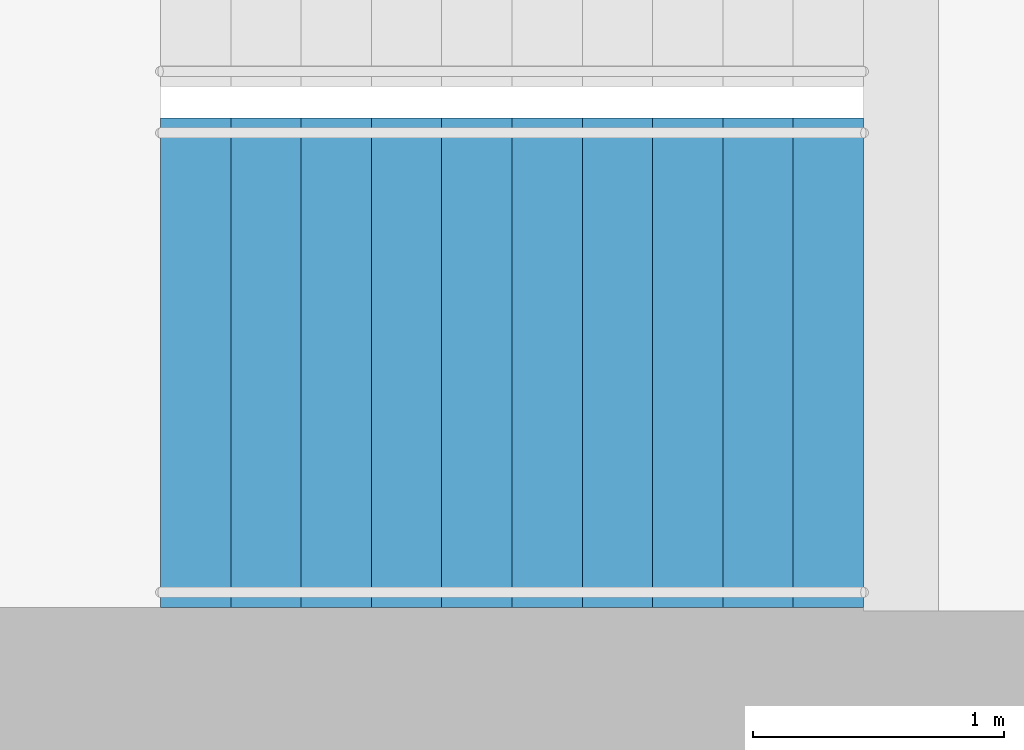
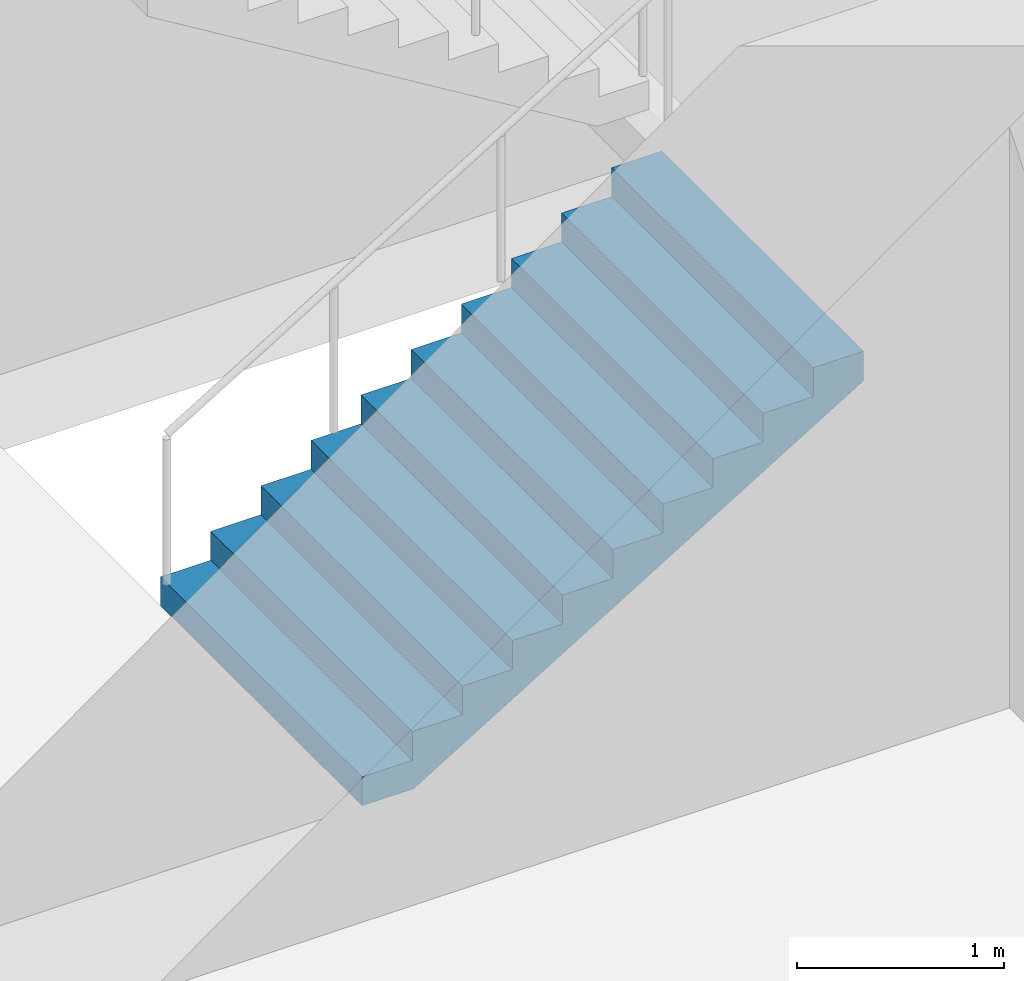
# One storey, part 23 of 29: 1 stair flight, 1 element without a shape of its own.
"""IFC4 building model written with IfcOpenShell, lengths in metres."""

from ifc_helpers import new_model, si_unit, direction, frame, origin, place, context, subcontext, project, spatial, triangles, material, type_object, element, aggregate, save


model = new_model("IFC4")

# Units and contexts
model_context = context("Model", 3, precision=1e-05, world=origin(), true_north=direction((0.0, 1.0)))
body_context = subcontext(model_context, "Body", "Model", "MODEL_VIEW")
ifc_project = project(units=[si_unit("LENGTHUNIT", "METRE"), si_unit("AREAUNIT", "SQUARE_METRE"), si_unit("VOLUMEUNIT", "CUBIC_METRE"), si_unit("PLANEANGLEUNIT", "RADIAN"), si_unit("MASSUNIT", "GRAM", prefix="KILO")], contexts=[model_context])

# Site, building, storey
site_placement = place(None, origin())
site = spatial("IfcSite", under=ifc_project, at=site_placement, CompositionType="ELEMENT")
building_placement = place(site_placement, origin())
building = spatial("IfcBuilding", under=site, at=building_placement, Name="Orbita Commons", CompositionType="ELEMENT")
storey_placement = place(building_placement, frame((0.0, 0.0, 148.60009765625)))
storey = spatial("IfcBuildingStorey", under=building, at=storey_placement, Name="L36", CompositionType="ELEMENT", Elevation=148.60009765625)

# Stair, stair flight
ifc_material_1 = material(Name="Precast concrete C40/50", Category="concrete")
stair_type = type_object("IfcStairType", Name="Exit stair S1 2 flights 11 risers 170", PredefinedType="HALF_TURN_STAIR", material=ifc_material_1)
stair_placement = place(storey_placement, origin())
stair = element("IfcStair", 1, at=stair_placement, inside=storey, type_object=stair_type, Name="Exit stair S1 L36", PredefinedType="HALF_TURN_STAIR")
ifc_material_2 = material(Name="Precast concrete C40/50", Category="concrete")
stair_flight_type = type_object("IfcStairFlightType", Name="Stair flight 11 risers 170 x 280", PredefinedType="STRAIGHT", material=ifc_material_2)
stair_flight_placement = place(storey_placement, frame((20.449951171875, 27.199951171875, 0.0), z_axis=(0.0, 0.0, 1.0), x_axis=(1.0, 0.0, 0.0)))
stair_flight = element("IfcStairFlight", 2, at=stair_flight_placement, type_object=stair_flight_type, Name="S1 flight 1", NumberOfRisers=11, NumberOfTreads=10, PredefinedType="STRAIGHT", RiserHeight=0.170454545, TreadLength=0.28, context=body_context, shape_type="Tessellation", body=[
    triangles([(0.0, 0.974976, 0.0), (0.0, 0.974976, 0.021307), (0.0, 0.81248, 0.021307), (0.0, 0.81248, 0.0), (0.0, 0.649984, 0.021307), (0.0, 0.649984, 0.0), (0.0, 0.487488, 0.021307), (0.0, 0.487488, 0.0), (0.0, 0.324992, 0.021307), (0.0, 0.324992, 0.0), (0.0, 0.162496, 0.021307), (0.0, 0.162496, 0.0), (0.0, 0.0, 0.021307), (0.0, 0.0, 0.0), (0.0, -0.162496, 0.021307), (0.0, -0.162496, 0.0), (0.0, -0.324992, 0.021307), (0.0, -0.324992, 0.0), (0.0, -0.487488, 0.021307), (0.0, -0.487488, 0.0), (0.0, -0.649984, 0.021307), (0.0, -0.649984, 0.0), (0.0, -0.81248, 0.021307), (0.0, -0.81248, 0.0), (0.0, -0.974976, 0.021307), (0.0, -0.974976, 0.0), (0.0, 0.974976, 0.042614), (0.0, 0.81248, 0.042614), (0.0, 0.649984, 0.042614), (0.0, 0.487488, 0.042614), (0.0, 0.324992, 0.042614), (0.0, 0.162496, 0.042614), (0.0, 0.0, 0.042614), (0.0, -0.162496, 0.042614), (0.0, -0.324992, 0.042614), (0.0, -0.487488, 0.042614), (0.0, -0.649984, 0.042614), (0.0, -0.81248, 0.042614), (0.0, -0.974976, 0.042614), (0.0, 0.974976, 0.06392), (0.0, 0.81248, 0.06392), (0.0, 0.649984, 0.06392), (0.0, 0.487488, 0.06392), (0.0, 0.324992, 0.06392), (0.0, 0.162496, 0.06392), (0.0, 0.0, 0.06392), (0.0, -0.162496, 0.06392), (0.0, -0.324992, 0.06392), (0.0, -0.487488, 0.06392), (0.0, -0.649984, 0.06392), (0.0, -0.81248, 0.06392), (0.0, -0.974976, 0.06392), (0.0, 0.974976, 0.085227), (0.0, 0.81248, 0.085227), (0.0, 0.649984, 0.085227), (0.0, 0.487488, 0.085227), (0.0, 0.324992, 0.085227), (0.0, 0.162496, 0.085227), (0.0, 0.0, 0.085227), (0.0, -0.162496, 0.085227), (0.0, -0.324992, 0.085227), (0.0, -0.487488, 0.085227), (0.0, -0.649984, 0.085227), (0.0, -0.81248, 0.085227), (0.0, -0.974976, 0.085227), (0.0, 0.974976, 0.106534), (0.0, 0.81248, 0.106534), (0.0, 0.649984, 0.106534), (0.0, 0.487488, 0.106534), (0.0, 0.324992, 0.106534), (0.0, 0.162496, 0.106534), (0.0, 0.0, 0.106534), (0.0, -0.162496, 0.106534), (0.0, -0.324992, 0.106534), (0.0, -0.487488, 0.106534), (0.0, -0.649984, 0.106534), (0.0, -0.81248, 0.106534), (0.0, -0.974976, 0.106534), (0.0, 0.974976, 0.127841), (0.0, 0.81248, 0.127841), (0.0, 0.649984, 0.127841), (0.0, 0.487488, 0.127841), (0.0, 0.324992, 0.127841), (0.0, 0.162496, 0.127841), (0.0, 0.0, 0.127841), (0.0, -0.162496, 0.127841), (0.0, -0.324992, 0.127841), (0.0, -0.487488, 0.127841), (0.0, -0.649984, 0.127841), (0.0, -0.81248, 0.127841), (0.0, -0.974976, 0.127841), (0.0, 0.974976, 0.149148), (0.0, 0.81248, 0.149148), (0.0, 0.649984, 0.149148), (0.0, 0.487488, 0.149148), (0.0, 0.324992, 0.149148), (0.0, 0.162496, 0.149148), (0.0, 0.0, 0.149148), (0.0, -0.162496, 0.149148), (0.0, -0.324992, 0.149148), (0.0, -0.487488, 0.149148), (0.0, -0.649984, 0.149148), (0.0, -0.81248, 0.149148), (0.0, -0.974976, 0.149148), (0.0, 0.974976, 0.170455), (0.0, 0.81248, 0.170455), (0.0, 0.649984, 0.170455), (0.0, 0.487488, 0.170455), (0.0, 0.324992, 0.170455), (0.0, 0.162496, 0.170455), (0.0, 0.0, 0.170455), (0.0, -0.162496, 0.170455), (0.0, -0.324992, 0.170455), (0.0, -0.487488, 0.170455), (0.0, -0.649984, 0.170455), (0.0, -0.81248, 0.170455), (0.0, -0.974976, 0.170455), (0.28, 0.974976, 0.170455), (0.28, 0.81248, 0.170455), (0.28, 0.649984, 0.170455), (0.28, 0.487488, 0.170455), (0.28, 0.324992, 0.170455), (0.28, 0.162496, 0.170455), (0.28, 0.0, 0.170455), (0.28, -0.162496, 0.170455), (0.28, -0.324992, 0.170455), (0.28, -0.487488, 0.170455), (0.28, -0.649984, 0.170455), (0.28, -0.81248, 0.170455), (0.28, -0.974976, 0.170455), (0.28, 0.974976, 0.340909), (0.28, 0.81248, 0.340909), (0.28, 0.649984, 0.340909), (0.28, 0.487488, 0.340909), (0.28, 0.324992, 0.340909), (0.28, 0.162496, 0.340909), (0.28, 0.0, 0.340909), (0.28, -0.162496, 0.340909), (0.28, -0.324992, 0.340909), (0.28, -0.487488, 0.340909), (0.28, -0.649984, 0.340909), (0.28, -0.81248, 0.340909), (0.28, -0.974976, 0.340909), (0.56, 0.974976, 0.340909), (0.56, 0.81248, 0.340909), (0.56, 0.649984, 0.340909), (0.56, 0.487488, 0.340909), (0.56, 0.324992, 0.340909), (0.56, 0.162496, 0.340909), (0.56, 0.0, 0.340909), (0.56, -0.162496, 0.340909), (0.56, -0.324992, 0.340909), (0.56, -0.487488, 0.340909), (0.56, -0.649984, 0.340909), (0.56, -0.81248, 0.340909), (0.56, -0.974976, 0.340909), (0.56, 0.974976, 0.511364), (0.56, 0.81248, 0.511364), (0.56, 0.649984, 0.511364), (0.56, 0.487488, 0.511364), (0.56, 0.324992, 0.511364), (0.56, 0.162496, 0.511364), (0.56, 0.0, 0.511364), (0.56, -0.162496, 0.511364), (0.56, -0.324992, 0.511364), (0.56, -0.487488, 0.511364), (0.56, -0.649984, 0.511364), (0.56, -0.81248, 0.511364), (0.56, -0.974976, 0.511364), (0.84, 0.974976, 0.511364), (0.84, 0.81248, 0.511364), (0.84, 0.649984, 0.511364), (0.84, 0.487488, 0.511364), (0.84, 0.324992, 0.511364), (0.84, 0.162496, 0.511364), (0.84, 0.0, 0.511364), (0.84, -0.162496, 0.511364), (0.84, -0.324992, 0.511364), (0.84, -0.487488, 0.511364), (0.84, -0.649984, 0.511364), (0.84, -0.81248, 0.511364), (0.84, -0.974976, 0.511364), (0.84, 0.974976, 0.681818), (0.84, 0.81248, 0.681818), (0.84, 0.649984, 0.681818), (0.84, 0.487488, 0.681818), (0.84, 0.324992, 0.681818), (0.84, 0.162496, 0.681818), (0.84, 0.0, 0.681818), (0.84, -0.162496, 0.681818), (0.84, -0.324992, 0.681818), (0.84, -0.487488, 0.681818), (0.84, -0.649984, 0.681818), (0.84, -0.81248, 0.681818), (0.84, -0.974976, 0.681818), (1.12, 0.974976, 0.681818), (1.12, 0.81248, 0.681818), (1.12, 0.649984, 0.681818), (1.12, 0.487488, 0.681818), (1.12, 0.324992, 0.681818), (1.12, 0.162496, 0.681818), (1.12, 0.0, 0.681818), (1.12, -0.162496, 0.681818), (1.12, -0.324992, 0.681818), (1.12, -0.487488, 0.681818), (1.12, -0.649984, 0.681818), (1.12, -0.81248, 0.681818), (1.12, -0.974976, 0.681818), (1.12, 0.974976, 0.852273), (1.12, 0.81248, 0.852273), (1.12, 0.649984, 0.852273), (1.12, 0.487488, 0.852273), (1.12, 0.324992, 0.852273), (1.12, 0.162496, 0.852273), (1.12, 0.0, 0.852273), (1.12, -0.162496, 0.852273), (1.12, -0.324992, 0.852273), (1.12, -0.487488, 0.852273), (1.12, -0.649984, 0.852273), (1.12, -0.81248, 0.852273), (1.12, -0.974976, 0.852273), (1.4, 0.974976, 0.852273), (1.4, 0.81248, 0.852273), (1.4, 0.649984, 0.852273), (1.4, 0.487488, 0.852273), (1.4, 0.324992, 0.852273), (1.4, 0.162496, 0.852273), (1.4, 0.0, 0.852273), (1.4, -0.162496, 0.852273), (1.4, -0.324992, 0.852273), (1.4, -0.487488, 0.852273), (1.4, -0.649984, 0.852273), (1.4, -0.81248, 0.852273), (1.4, -0.974976, 0.852273), (1.4, 0.974976, 1.022727), (1.4, 0.81248, 1.022727), (1.4, 0.649984, 1.022727), (1.4, 0.487488, 1.022727), (1.4, 0.324992, 1.022727), (1.4, 0.162496, 1.022727), (1.4, 0.0, 1.022727), (1.4, -0.162496, 1.022727), (1.4, -0.324992, 1.022727), (1.4, -0.487488, 1.022727), (1.4, -0.649984, 1.022727), (1.4, -0.81248, 1.022727), (1.4, -0.974976, 1.022727), (1.68, 0.974976, 1.022727), (1.68, 0.81248, 1.022727), (1.68, 0.649984, 1.022727), (1.68, 0.487488, 1.022727), (1.68, 0.324992, 1.022727), (1.68, 0.162496, 1.022727), (1.68, 0.0, 1.022727), (1.68, -0.162496, 1.022727), (1.68, -0.324992, 1.022727), (1.68, -0.487488, 1.022727), (1.68, -0.649984, 1.022727), (1.68, -0.81248, 1.022727), (1.68, -0.974976, 1.022727), (1.68, 0.974976, 1.193182), (1.68, 0.81248, 1.193182), (1.68, 0.649984, 1.193182), (1.68, 0.487488, 1.193182), (1.68, 0.324992, 1.193182), (1.68, 0.162496, 1.193182), (1.68, 0.0, 1.193182), (1.68, -0.162496, 1.193182), (1.68, -0.324992, 1.193182), (1.68, -0.487488, 1.193182), (1.68, -0.649984, 1.193182), (1.68, -0.81248, 1.193182), (1.68, -0.974976, 1.193182), (1.96, 0.974976, 1.193182), (1.96, 0.81248, 1.193182), (1.96, 0.649984, 1.193182), (1.96, 0.487488, 1.193182), (1.96, 0.324992, 1.193182), (1.96, 0.162496, 1.193182), (1.96, 0.0, 1.193182), (1.96, -0.162496, 1.193182), (1.96, -0.324992, 1.193182), (1.96, -0.487488, 1.193182), (1.96, -0.649984, 1.193182), (1.96, -0.81248, 1.193182), (1.96, -0.974976, 1.193182), (1.96, 0.974976, 1.363636), (1.96, 0.81248, 1.363636), (1.96, 0.649984, 1.363636), (1.96, 0.487488, 1.363636), (1.96, 0.324992, 1.363636), (1.96, 0.162496, 1.363636), (1.96, 0.0, 1.363636), (1.96, -0.162496, 1.363636), (1.96, -0.324992, 1.363636), (1.96, -0.487488, 1.363636), (1.96, -0.649984, 1.363636), (1.96, -0.81248, 1.363636), (1.96, -0.974976, 1.363636), (2.24, 0.974976, 1.363636), (2.24, 0.81248, 1.363636), (2.24, 0.649984, 1.363636), (2.24, 0.487488, 1.363636), (2.24, 0.324992, 1.363636), (2.24, 0.162496, 1.363636), (2.24, 0.0, 1.363636), (2.24, -0.162496, 1.363636), (2.24, -0.324992, 1.363636), (2.24, -0.487488, 1.363636), (2.24, -0.649984, 1.363636), (2.24, -0.81248, 1.363636), (2.24, -0.974976, 1.363636), (2.24, 0.974976, 1.534091), (2.24, 0.81248, 1.534091), (2.24, 0.649984, 1.534091), (2.24, 0.487488, 1.534091), (2.24, 0.324992, 1.534091), (2.24, 0.162496, 1.534091), (2.24, 0.0, 1.534091), (2.24, -0.162496, 1.534091), (2.24, -0.324992, 1.534091), (2.24, -0.487488, 1.534091), (2.24, -0.649984, 1.534091), (2.24, -0.81248, 1.534091), (2.24, -0.974976, 1.534091), (2.52, 0.974976, 1.534091), (2.52, 0.81248, 1.534091), (2.52, 0.649984, 1.534091), (2.52, 0.487488, 1.534091), (2.52, 0.324992, 1.534091), (2.52, 0.162496, 1.534091), (2.52, 0.0, 1.534091), (2.52, -0.162496, 1.534091), (2.52, -0.324992, 1.534091), (2.52, -0.487488, 1.534091), (2.52, -0.649984, 1.534091), (2.52, -0.81248, 1.534091), (2.52, -0.974976, 1.534091), (2.52, 0.974976, 1.704545), (2.52, 0.81248, 1.704545), (2.52, 0.649984, 1.704545), (2.52, 0.487488, 1.704545), (2.52, 0.324992, 1.704545), (2.52, 0.162496, 1.704545), (2.52, 0.0, 1.704545), (2.52, -0.162496, 1.704545), (2.52, -0.324992, 1.704545), (2.52, -0.487488, 1.704545), (2.52, -0.649984, 1.704545), (2.52, -0.81248, 1.704545), (2.52, -0.974976, 1.704545), (2.8, 0.974976, 1.704545), (2.8, 0.81248, 1.704545), (2.8, 0.649984, 1.704545), (2.8, 0.487488, 1.704545), (2.8, 0.324992, 1.704545), (2.8, 0.162496, 1.704545), (2.8, 0.0, 1.704545), (2.8, -0.162496, 1.704545), (2.8, -0.324992, 1.704545), (2.8, -0.487488, 1.704545), (2.8, -0.649984, 1.704545), (2.8, -0.81248, 1.704545), (2.8, -0.974976, 1.704545), (2.8, 0.974976, 1.682609), (2.8, 0.81248, 1.682609), (2.8, 0.649984, 1.682609), (2.8, 0.487488, 1.682609), (2.8, 0.324992, 1.682609), (2.8, 0.162496, 1.682609), (2.8, 0.0, 1.682609), (2.8, -0.162496, 1.682609), (2.8, -0.324992, 1.682609), (2.8, -0.487488, 1.682609), (2.8, -0.649984, 1.682609), (2.8, -0.81248, 1.682609), (2.8, -0.974976, 1.682609), (2.8, 0.974976, 1.660672), (2.8, 0.81248, 1.660672), (2.8, 0.649984, 1.660672), (2.8, 0.487488, 1.660672), (2.8, 0.324992, 1.660672), (2.8, 0.162496, 1.660672), (2.8, 0.0, 1.660672), (2.8, -0.162496, 1.660672), (2.8, -0.324992, 1.660672), (2.8, -0.487488, 1.660672), (2.8, -0.649984, 1.660672), (2.8, -0.81248, 1.660672), (2.8, -0.974976, 1.660672), (2.8, 0.974976, 1.638735), (2.8, 0.81248, 1.638735), (2.8, 0.649984, 1.638735), (2.8, 0.487488, 1.638735), (2.8, 0.324992, 1.638735), (2.8, 0.162496, 1.638735), (2.8, 0.0, 1.638735), (2.8, -0.162496, 1.638735), (2.8, -0.324992, 1.638735), (2.8, -0.487488, 1.638735), (2.8, -0.649984, 1.638735), (2.8, -0.81248, 1.638735), (2.8, -0.974976, 1.638735), (2.8, 0.974976, 1.616798), (2.8, 0.81248, 1.616798), (2.8, 0.649984, 1.616798), (2.8, 0.487488, 1.616798), (2.8, 0.324992, 1.616798), (2.8, 0.162496, 1.616798), (2.8, 0.0, 1.616798), (2.8, -0.162496, 1.616798), (2.8, -0.324992, 1.616798), (2.8, -0.487488, 1.616798), (2.8, -0.649984, 1.616798), (2.8, -0.81248, 1.616798), (2.8, -0.974976, 1.616798), (2.8, 0.974976, 1.594861), (2.8, 0.81248, 1.594861), (2.8, 0.649984, 1.594861), (2.8, 0.487488, 1.594861), (2.8, 0.324992, 1.594861), (2.8, 0.162496, 1.594861), (2.8, 0.0, 1.594861), (2.8, -0.162496, 1.594861), (2.8, -0.324992, 1.594861), (2.8, -0.487488, 1.594861), (2.8, -0.649984, 1.594861), (2.8, -0.81248, 1.594861), (2.8, -0.974976, 1.594861), (2.8, 0.974976, 1.572925), (2.8, 0.81248, 1.572925), (2.8, 0.649984, 1.572925), (2.8, 0.487488, 1.572925), (2.8, 0.324992, 1.572925), (2.8, 0.162496, 1.572925), (2.8, 0.0, 1.572925), (2.8, -0.162496, 1.572925), (2.8, -0.324992, 1.572925), (2.8, -0.487488, 1.572925), (2.8, -0.649984, 1.572925), (2.8, -0.81248, 1.572925), (2.8, -0.974976, 1.572925), (2.8, 0.974976, 1.550988), (2.8, 0.81248, 1.550988), (2.8, 0.649984, 1.550988), (2.8, 0.487488, 1.550988), (2.8, 0.324992, 1.550988), (2.8, 0.162496, 1.550988), (2.8, 0.0, 1.550988), (2.8, -0.162496, 1.550988), (2.8, -0.324992, 1.550988), (2.8, -0.487488, 1.550988), (2.8, -0.649984, 1.550988), (2.8, -0.81248, 1.550988), (2.8, -0.974976, 1.550988), (2.8, 0.974976, 1.529051), (2.8, 0.81248, 1.529051), (2.8, 0.649984, 1.529051), (2.8, 0.487488, 1.529051), (2.8, 0.324992, 1.529051), (2.8, 0.162496, 1.529051), (2.8, 0.0, 1.529051), (2.8, -0.162496, 1.529051), (2.8, -0.324992, 1.529051), (2.8, -0.487488, 1.529051), (2.8, -0.649984, 1.529051), (2.8, -0.81248, 1.529051), (2.8, -0.974976, 1.529051), (0.288279, 0.974976, 0.0), (0.288279, 0.81248, 0.0), (0.288279, 0.649984, 0.0), (0.288279, 0.487488, 0.0), (0.288279, 0.324992, 0.0), (0.288279, 0.162496, 0.0), (0.288279, 0.0, 0.0), (0.288279, -0.162496, 0.0), (0.288279, -0.324992, 0.0), (0.288279, -0.487488, 0.0), (0.288279, -0.649984, 0.0), (0.288279, -0.81248, 0.0), (0.288279, -0.974976, 0.0)], [[3, 2, 1], [4, 3, 1], [5, 3, 4], [6, 5, 4], [7, 5, 6], [8, 7, 6], [9, 7, 8], [10, 9, 8], [11, 9, 10], [12, 11, 10], [13, 11, 12], [14, 13, 12], [15, 13, 14], [16, 15, 14], [17, 15, 16], [18, 17, 16], [19, 17, 18], [20, 19, 18], [21, 19, 20], [22, 21, 20], [23, 21, 22], [24, 23, 22], [25, 23, 24], [26, 25, 24], [28, 27, 2], [3, 28, 2], [29, 28, 3], [5, 29, 3], [30, 29, 5], [7, 30, 5], [31, 30, 7], [9, 31, 7], [32, 31, 9], [11, 32, 9], [33, 32, 11], [13, 33, 11], [34, 33, 13], [15, 34, 13], [35, 34, 15], [17, 35, 15], [36, 35, 17], [19, 36, 17], [37, 36, 19], [21, 37, 19], [38, 37, 21], [23, 38, 21], [39, 38, 23], [25, 39, 23], [41, 40, 27], [28, 41, 27], [42, 41, 28], [29, 42, 28], [43, 42, 29], [30, 43, 29], [44, 43, 30], [31, 44, 30], [45, 44, 31], [32, 45, 31], [46, 45, 32], [33, 46, 32], [47, 46, 33], [34, 47, 33], [48, 47, 34], [35, 48, 34], [49, 48, 35], [36, 49, 35], [50, 49, 36], [37, 50, 36], [51, 50, 37], [38, 51, 37], [52, 51, 38], [39, 52, 38], [54, 53, 40], [41, 54, 40], [55, 54, 41], [42, 55, 41], [56, 55, 42], [43, 56, 42], [57, 56, 43], [44, 57, 43], [58, 57, 44], [45, 58, 44], [59, 58, 45], [46, 59, 45], [60, 59, 46], [47, 60, 46], [61, 60, 47], [48, 61, 47], [62, 61, 48], [49, 62, 48], [63, 62, 49], [50, 63, 49], [64, 63, 50], [51, 64, 50], [65, 64, 51], [52, 65, 51], [67, 66, 53], [54, 67, 53], [68, 67, 54], [55, 68, 54], [69, 68, 55], [56, 69, 55], [70, 69, 56], [57, 70, 56], [71, 70, 57], [58, 71, 57], [72, 71, 58], [59, 72, 58], [73, 72, 59], [60, 73, 59], [74, 73, 60], [61, 74, 60], [75, 74, 61], [62, 75, 61], [76, 75, 62], [63, 76, 62], [77, 76, 63], [64, 77, 63], [78, 77, 64], [65, 78, 64], [80, 79, 66], [67, 80, 66], [81, 80, 67], [68, 81, 67], [82, 81, 68], [69, 82, 68], [83, 82, 69], [70, 83, 69], [84, 83, 70], [71, 84, 70], [85, 84, 71], [72, 85, 71], [86, 85, 72], [73, 86, 72], [87, 86, 73], [74, 87, 73], [88, 87, 74], [75, 88, 74], [89, 88, 75], [76, 89, 75], [90, 89, 76], [77, 90, 76], [91, 90, 77], [78, 91, 77], [93, 92, 79], [80, 93, 79], [94, 93, 80], [81, 94, 80], [95, 94, 81], [82, 95, 81], [96, 95, 82], [83, 96, 82], [97, 96, 83], [84, 97, 83], [98, 97, 84], [85, 98, 84], [99, 98, 85], [86, 99, 85], [100, 99, 86], [87, 100, 86], [101, 100, 87], [88, 101, 87], [102, 101, 88], [89, 102, 88], [103, 102, 89], [90, 103, 89], [104, 103, 90], [91, 104, 90], [106, 105, 92], [93, 106, 92], [107, 106, 93], [94, 107, 93], [108, 107, 94], [95, 108, 94], [109, 108, 95], [96, 109, 95], [110, 109, 96], [97, 110, 96], [111, 110, 97], [98, 111, 97], [112, 111, 98], [99, 112, 98], [113, 112, 99], [100, 113, 99], [114, 113, 100], [101, 114, 100], [115, 114, 101], [102, 115, 101], [116, 115, 102], [103, 116, 102], [117, 116, 103], [104, 117, 103], [119, 118, 105], [106, 119, 105], [120, 119, 106], [107, 120, 106], [121, 120, 107], [108, 121, 107], [122, 121, 108], [109, 122, 108], [123, 122, 109], [110, 123, 109], [124, 123, 110], [111, 124, 110], [125, 124, 111], [112, 125, 111], [126, 125, 112], [113, 126, 112], [127, 126, 113], [114, 127, 113], [128, 127, 114], [115, 128, 114], [129, 128, 115], [116, 129, 115], [130, 129, 116], [117, 130, 116], [132, 131, 118], [119, 132, 118], [133, 132, 119], [120, 133, 119], [134, 133, 120], [121, 134, 120], [135, 134, 121], [122, 135, 121], [136, 135, 122], [123, 136, 122], [137, 136, 123], [124, 137, 123], [138, 137, 124], [125, 138, 124], [139, 138, 125], [126, 139, 125], [140, 139, 126], [127, 140, 126], [141, 140, 127], [128, 141, 127], [142, 141, 128], [129, 142, 128], [143, 142, 129], [130, 143, 129], [145, 144, 131], [132, 145, 131], [146, 145, 132], [133, 146, 132], [147, 146, 133], [134, 147, 133], [148, 147, 134], [135, 148, 134], [149, 148, 135], [136, 149, 135], [150, 149, 136], [137, 150, 136], [151, 150, 137], [138, 151, 137], [152, 151, 138], [139, 152, 138], [153, 152, 139], [140, 153, 139], [154, 153, 140], [141, 154, 140], [155, 154, 141], [142, 155, 141], [156, 155, 142], [143, 156, 142], [158, 157, 144], [145, 158, 144], [159, 158, 145], [146, 159, 145], [160, 159, 146], [147, 160, 146], [161, 160, 147], [148, 161, 147], [162, 161, 148], [149, 162, 148], [163, 162, 149], [150, 163, 149], [164, 163, 150], [151, 164, 150], [165, 164, 151], [152, 165, 151], [166, 165, 152], [153, 166, 152], [167, 166, 153], [154, 167, 153], [168, 167, 154], [155, 168, 154], [169, 168, 155], [156, 169, 155], [171, 170, 157], [158, 171, 157], [172, 171, 158], [159, 172, 158], [173, 172, 159], [160, 173, 159], [174, 173, 160], [161, 174, 160], [175, 174, 161], [162, 175, 161], [176, 175, 162], [163, 176, 162], [177, 176, 163], [164, 177, 163], [178, 177, 164], [165, 178, 164], [179, 178, 165], [166, 179, 165], [180, 179, 166], [167, 180, 166], [181, 180, 167], [168, 181, 167], [182, 181, 168], [169, 182, 168], [184, 183, 170], [171, 184, 170], [185, 184, 171], [172, 185, 171], [186, 185, 172], [173, 186, 172], [187, 186, 173], [174, 187, 173], [188, 187, 174], [175, 188, 174], [189, 188, 175], [176, 189, 175], [190, 189, 176], [177, 190, 176], [191, 190, 177], [178, 191, 177], [192, 191, 178], [179, 192, 178], [193, 192, 179], [180, 193, 179], [194, 193, 180], [181, 194, 180], [195, 194, 181], [182, 195, 181], [197, 196, 183], [184, 197, 183], [198, 197, 184], [185, 198, 184], [199, 198, 185], [186, 199, 185], [200, 199, 186], [187, 200, 186], [201, 200, 187], [188, 201, 187], [202, 201, 188], [189, 202, 188], [203, 202, 189], [190, 203, 189], [204, 203, 190], [191, 204, 190], [205, 204, 191], [192, 205, 191], [206, 205, 192], [193, 206, 192], [207, 206, 193], [194, 207, 193], [208, 207, 194], [195, 208, 194], [210, 209, 196], [197, 210, 196], [211, 210, 197], [198, 211, 197], [212, 211, 198], [199, 212, 198], [213, 212, 199], [200, 213, 199], [214, 213, 200], [201, 214, 200], [215, 214, 201], [202, 215, 201], [216, 215, 202], [203, 216, 202], [217, 216, 203], [204, 217, 203], [218, 217, 204], [205, 218, 204], [219, 218, 205], [206, 219, 205], [220, 219, 206], [207, 220, 206], [221, 220, 207], [208, 221, 207], [223, 222, 209], [210, 223, 209], [224, 223, 210], [211, 224, 210], [225, 224, 211], [212, 225, 211], [226, 225, 212], [213, 226, 212], [227, 226, 213], [214, 227, 213], [228, 227, 214], [215, 228, 214], [229, 228, 215], [216, 229, 215], [230, 229, 216], [217, 230, 216], [231, 230, 217], [218, 231, 217], [232, 231, 218], [219, 232, 218], [233, 232, 219], [220, 233, 219], [234, 233, 220], [221, 234, 220], [236, 235, 222], [223, 236, 222], [237, 236, 223], [224, 237, 223], [238, 237, 224], [225, 238, 224], [239, 238, 225], [226, 239, 225], [240, 239, 226], [227, 240, 226], [241, 240, 227], [228, 241, 227], [242, 241, 228], [229, 242, 228], [243, 242, 229], [230, 243, 229], [244, 243, 230], [231, 244, 230], [245, 244, 231], [232, 245, 231], [246, 245, 232], [233, 246, 232], [247, 246, 233], [234, 247, 233], [249, 248, 235], [236, 249, 235], [250, 249, 236], [237, 250, 236], [251, 250, 237], [238, 251, 237], [252, 251, 238], [239, 252, 238], [253, 252, 239], [240, 253, 239], [254, 253, 240], [241, 254, 240], [255, 254, 241], [242, 255, 241], [256, 255, 242], [243, 256, 242], [257, 256, 243], [244, 257, 243], [258, 257, 244], [245, 258, 244], [259, 258, 245], [246, 259, 245], [260, 259, 246], [247, 260, 246], [262, 261, 248], [249, 262, 248], [263, 262, 249], [250, 263, 249], [264, 263, 250], [251, 264, 250], [265, 264, 251], [252, 265, 251], [266, 265, 252], [253, 266, 252], [267, 266, 253], [254, 267, 253], [268, 267, 254], [255, 268, 254], [269, 268, 255], [256, 269, 255], [270, 269, 256], [257, 270, 256], [271, 270, 257], [258, 271, 257], [272, 271, 258], [259, 272, 258], [273, 272, 259], [260, 273, 259], [275, 274, 261], [262, 275, 261], [276, 275, 262], [263, 276, 262], [277, 276, 263], [264, 277, 263], [278, 277, 264], [265, 278, 264], [279, 278, 265], [266, 279, 265], [280, 279, 266], [267, 280, 266], [281, 280, 267], [268, 281, 267], [282, 281, 268], [269, 282, 268], [283, 282, 269], [270, 283, 269], [284, 283, 270], [271, 284, 270], [285, 284, 271], [272, 285, 271], [286, 285, 272], [273, 286, 272], [288, 287, 274], [275, 288, 274], [289, 288, 275], [276, 289, 275], [290, 289, 276], [277, 290, 276], [291, 290, 277], [278, 291, 277], [292, 291, 278], [279, 292, 278], [293, 292, 279], [280, 293, 279], [294, 293, 280], [281, 294, 280], [295, 294, 281], [282, 295, 281], [296, 295, 282], [283, 296, 282], [297, 296, 283], [284, 297, 283], [298, 297, 284], [285, 298, 284], [299, 298, 285], [286, 299, 285], [301, 300, 287], [288, 301, 287], [302, 301, 288], [289, 302, 288], [303, 302, 289], [290, 303, 289], [304, 303, 290], [291, 304, 290], [305, 304, 291], [292, 305, 291], [306, 305, 292], [293, 306, 292], [307, 306, 293], [294, 307, 293], [308, 307, 294], [295, 308, 294], [309, 308, 295], [296, 309, 295], [310, 309, 296], [297, 310, 296], [311, 310, 297], [298, 311, 297], [312, 311, 298], [299, 312, 298], [314, 313, 300], [301, 314, 300], [315, 314, 301], [302, 315, 301], [316, 315, 302], [303, 316, 302], [317, 316, 303], [304, 317, 303], [318, 317, 304], [305, 318, 304], [319, 318, 305], [306, 319, 305], [320, 319, 306], [307, 320, 306], [321, 320, 307], [308, 321, 307], [322, 321, 308], [309, 322, 308], [323, 322, 309], [310, 323, 309], [324, 323, 310], [311, 324, 310], [325, 324, 311], [312, 325, 311], [327, 326, 313], [314, 327, 313], [328, 327, 314], [315, 328, 314], [329, 328, 315], [316, 329, 315], [330, 329, 316], [317, 330, 316], [331, 330, 317], [318, 331, 317], [332, 331, 318], [319, 332, 318], [333, 332, 319], [320, 333, 319], [334, 333, 320], [321, 334, 320], [335, 334, 321], [322, 335, 321], [336, 335, 322], [323, 336, 322], [337, 336, 323], [324, 337, 323], [338, 337, 324], [325, 338, 324], [340, 339, 326], [327, 340, 326], [341, 340, 327], [328, 341, 327], [342, 341, 328], [329, 342, 328], [343, 342, 329], [330, 343, 329], [344, 343, 330], [331, 344, 330], [345, 344, 331], [332, 345, 331], [346, 345, 332], [333, 346, 332], [347, 346, 333], [334, 347, 333], [348, 347, 334], [335, 348, 334], [349, 348, 335], [336, 349, 335], [350, 349, 336], [337, 350, 336], [351, 350, 337], [338, 351, 337], [353, 352, 339], [340, 353, 339], [354, 353, 340], [341, 354, 340], [355, 354, 341], [342, 355, 341], [356, 355, 342], [343, 356, 342], [357, 356, 343], [344, 357, 343], [358, 357, 344], [345, 358, 344], [359, 358, 345], [346, 359, 345], [360, 359, 346], [347, 360, 346], [361, 360, 347], [348, 361, 347], [362, 361, 348], [349, 362, 348], [363, 362, 349], [350, 363, 349], [364, 363, 350], [351, 364, 350], [366, 365, 352], [353, 366, 352], [367, 366, 353], [354, 367, 353], [368, 367, 354], [355, 368, 354], [369, 368, 355], [356, 369, 355], [370, 369, 356], [357, 370, 356], [371, 370, 357], [358, 371, 357], [372, 371, 358], [359, 372, 358], [373, 372, 359], [360, 373, 359], [374, 373, 360], [361, 374, 360], [375, 374, 361], [362, 375, 361], [376, 375, 362], [363, 376, 362], [377, 376, 363], [364, 377, 363], [379, 378, 365], [366, 379, 365], [380, 379, 366], [367, 380, 366], [381, 380, 367], [368, 381, 367], [382, 381, 368], [369, 382, 368], [383, 382, 369], [370, 383, 369], [384, 383, 370], [371, 384, 370], [385, 384, 371], [372, 385, 371], [386, 385, 372], [373, 386, 372], [387, 386, 373], [374, 387, 373], [388, 387, 374], [375, 388, 374], [389, 388, 375], [376, 389, 375], [390, 389, 376], [377, 390, 376], [392, 391, 378], [379, 392, 378], [393, 392, 379], [380, 393, 379], [394, 393, 380], [381, 394, 380], [395, 394, 381], [382, 395, 381], [396, 395, 382], [383, 396, 382], [397, 396, 383], [384, 397, 383], [398, 397, 384], [385, 398, 384], [399, 398, 385], [386, 399, 385], [400, 399, 386], [387, 400, 386], [401, 400, 387], [388, 401, 387], [402, 401, 388], [389, 402, 388], [403, 402, 389], [390, 403, 389], [405, 404, 391], [392, 405, 391], [406, 405, 392], [393, 406, 392], [407, 406, 393], [394, 407, 393], [408, 407, 394], [395, 408, 394], [409, 408, 395], [396, 409, 395], [410, 409, 396], [397, 410, 396], [411, 410, 397], [398, 411, 397], [412, 411, 398], [399, 412, 398], [413, 412, 399], [400, 413, 399], [414, 413, 400], [401, 414, 400], [415, 414, 401], [402, 415, 401], [416, 415, 402], [403, 416, 402], [418, 417, 404], [405, 418, 404], [419, 418, 405], [406, 419, 405], [420, 419, 406], [407, 420, 406], [421, 420, 407], [408, 421, 407], [422, 421, 408], [409, 422, 408], [423, 422, 409], [410, 423, 409], [424, 423, 410], [411, 424, 410], [425, 424, 411], [412, 425, 411], [426, 425, 412], [413, 426, 412], [427, 426, 413], [414, 427, 413], [428, 427, 414], [415, 428, 414], [429, 428, 415], [416, 429, 415], [431, 430, 417], [418, 431, 417], [432, 431, 418], [419, 432, 418], [433, 432, 419], [420, 433, 419], [434, 433, 420], [421, 434, 420], [435, 434, 421], [422, 435, 421], [436, 435, 422], [423, 436, 422], [437, 436, 423], [424, 437, 423], [438, 437, 424], [425, 438, 424], [439, 438, 425], [426, 439, 425], [440, 439, 426], [427, 440, 426], [441, 440, 427], [428, 441, 427], [442, 441, 428], [429, 442, 428], [444, 443, 430], [431, 444, 430], [445, 444, 431], [432, 445, 431], [446, 445, 432], [433, 446, 432], [447, 446, 433], [434, 447, 433], [448, 447, 434], [435, 448, 434], [449, 448, 435], [436, 449, 435], [450, 449, 436], [437, 450, 436], [451, 450, 437], [438, 451, 437], [452, 451, 438], [439, 452, 438], [453, 452, 439], [440, 453, 439], [454, 453, 440], [441, 454, 440], [455, 454, 441], [442, 455, 441], [457, 456, 443], [444, 457, 443], [458, 457, 444], [445, 458, 444], [459, 458, 445], [446, 459, 445], [460, 459, 446], [447, 460, 446], [461, 460, 447], [448, 461, 447], [462, 461, 448], [449, 462, 448], [463, 462, 449], [450, 463, 449], [464, 463, 450], [451, 464, 450], [465, 464, 451], [452, 465, 451], [466, 465, 452], [453, 466, 452], [467, 466, 453], [454, 467, 453], [468, 467, 454], [455, 468, 454], [470, 469, 456], [457, 470, 456], [471, 470, 457], [458, 471, 457], [472, 471, 458], [459, 472, 458], [473, 472, 459], [460, 473, 459], [474, 473, 460], [461, 474, 460], [475, 474, 461], [462, 475, 461], [476, 475, 462], [463, 476, 462], [477, 476, 463], [464, 477, 463], [478, 477, 464], [465, 478, 464], [479, 478, 465], [466, 479, 465], [480, 479, 466], [467, 480, 466], [481, 480, 467], [468, 481, 467], [4, 1, 469], [470, 4, 469], [6, 4, 470], [471, 6, 470], [8, 6, 471], [472, 8, 471], [10, 8, 472], [473, 10, 472], [12, 10, 473], [474, 12, 473], [14, 12, 474], [475, 14, 474], [16, 14, 475], [476, 16, 475], [18, 16, 476], [477, 18, 476], [20, 18, 477], [478, 20, 477], [22, 20, 478], [479, 22, 478], [24, 22, 479], [480, 24, 479], [26, 24, 480], [481, 26, 480], [456, 469, 1], [26, 481, 468], [443, 456, 1], [26, 468, 455], [430, 443, 1], [26, 455, 442], [417, 430, 1], [26, 442, 429], [404, 417, 1], [26, 429, 416], [391, 404, 1], [26, 416, 403], [378, 391, 1], [26, 403, 390], [365, 378, 1], [26, 390, 377], [339, 352, 365], [377, 364, 351], [326, 339, 365], [377, 351, 338], [300, 313, 326], [338, 325, 312], [300, 326, 365], [377, 338, 312], [274, 287, 300], [312, 299, 286], [274, 300, 365], [377, 312, 286], [248, 261, 274], [286, 273, 260], [248, 274, 365], [377, 286, 260], [222, 235, 248], [260, 247, 234], [222, 248, 365], [377, 260, 234], [196, 209, 222], [234, 221, 208], [196, 222, 365], [377, 234, 208], [170, 183, 196], [208, 195, 182], [170, 196, 365], [377, 208, 182], [144, 157, 170], [182, 169, 156], [144, 170, 365], [377, 182, 156], [118, 131, 144], [156, 143, 130], [118, 144, 365], [377, 156, 130], [118, 365, 1], [26, 377, 130], [92, 105, 118], [130, 117, 104], [79, 92, 118], [130, 104, 91], [66, 79, 118], [130, 91, 78], [53, 66, 118], [130, 78, 65], [40, 53, 118], [130, 65, 52], [27, 40, 118], [130, 52, 39], [2, 27, 118], [130, 39, 25], [1, 2, 118], [130, 25, 26]], closed=True),
])
aggregate(stair, [stair_flight])

save(model, "model.ifc")
